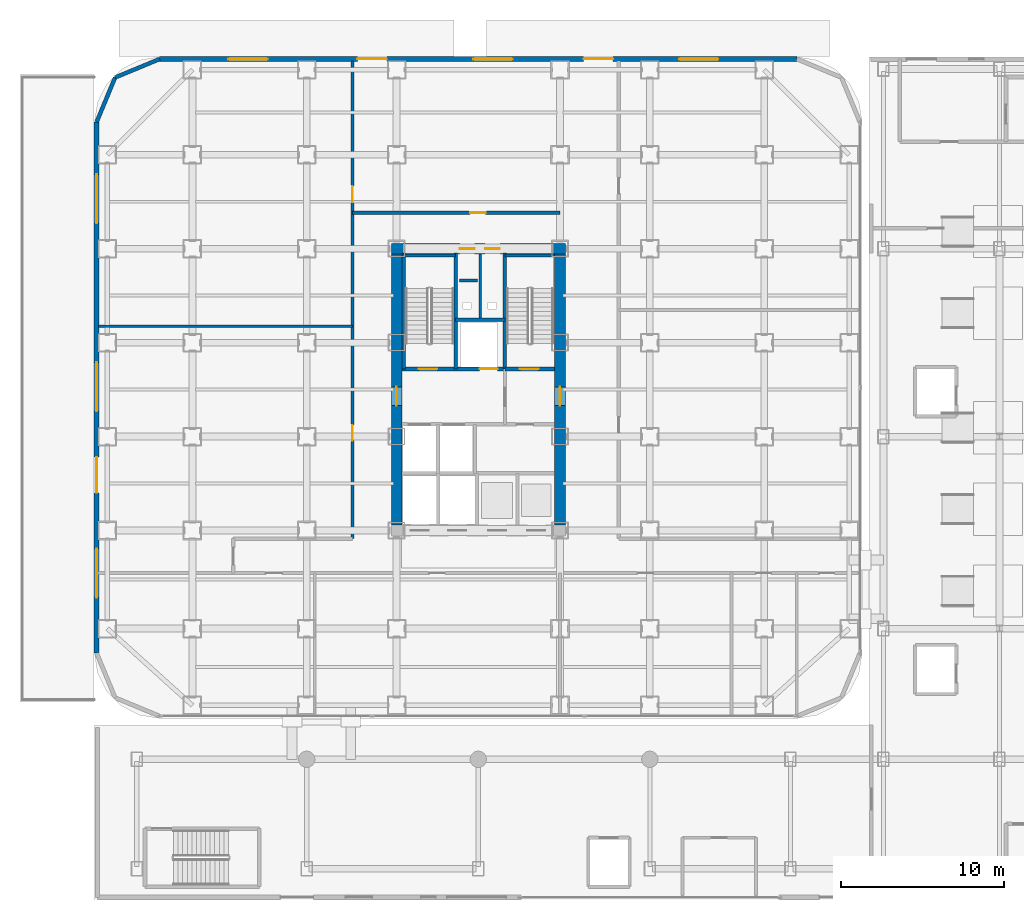
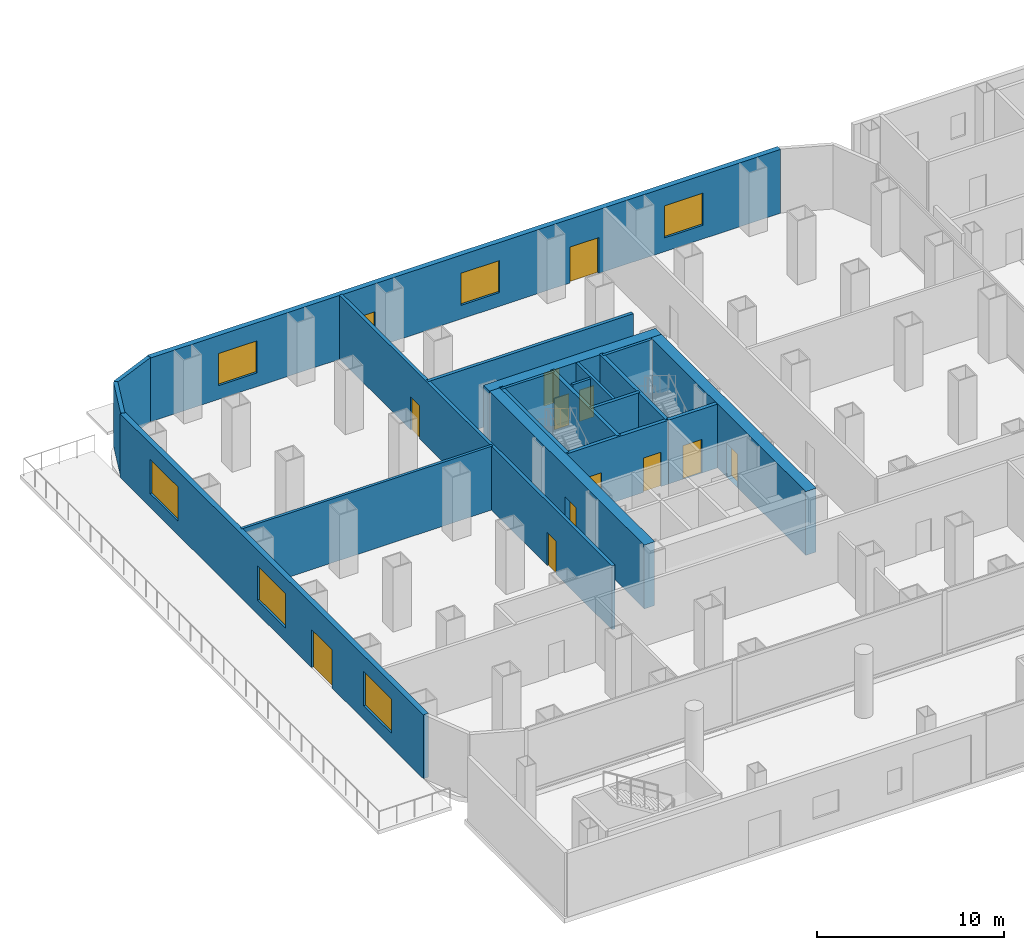
# One storey, part 22 of 31: 20 walls, 13 doors, 6 windows, 19 openings.
"""IFC4 building model written with IfcOpenShell, lengths in metres."""

from ifc_helpers import new_model, si_unit, direction, frame, frame_2d, origin, place, context, subcontext, project, spatial, rectangle, extrude, material, layer, layer_set, type_object, element, fill, save


model = new_model("IFC4")

# Units and contexts
model_context = context("Model", 3, precision=1e-05, world=origin(), true_north=direction((0.0, 1.0)))
body_context = subcontext(model_context, "Body", "Model", "MODEL_VIEW")
ifc_project = project(units=[si_unit("LENGTHUNIT", "METRE"), si_unit("AREAUNIT", "SQUARE_METRE"), si_unit("VOLUMEUNIT", "CUBIC_METRE"), si_unit("PLANEANGLEUNIT", "RADIAN"), si_unit("MASSUNIT", "GRAM", prefix="KILO")], contexts=[model_context])

# Site, building, storey
site_placement = place(None, origin())
site = spatial("IfcSite", under=ifc_project, at=site_placement, CompositionType="ELEMENT")
building_placement = place(site_placement, origin())
building = spatial("IfcBuilding", under=site, at=building_placement, Name="Kolveth Station Tower", CompositionType="ELEMENT")
storey_placement = place(building_placement, origin())
storey = spatial("IfcBuildingStorey", under=building, at=storey_placement, Name="L00", CompositionType="ELEMENT", Elevation=0.0)

# Wall, openings, doors
ifc_material_1 = material(Name="Concrete C60/75", Category="concrete")
ifc_layer_1 = layer(ifc_material_1, 0.64990234375)
ifc_layer_set_1 = layer_set([ifc_layer_1], Name="Concrete C60/75")
wall_type_1 = type_object("IfcWallType", Name="Wall_CW-650", PredefinedType="SHEAR", material=ifc_layer_set_1)
wall_1_placement = place(storey_placement, frame((18.175048828125, 28.75, 0.0), z_axis=(0.0, 0.0, 1.0), x_axis=(1.0, 0.0, 0.0)))
wall_1 = element("IfcWall", 1, at=wall_1_placement, inside=storey, type_object=wall_type_1, Name="L00 Core RC Shear Wall N", PredefinedType="SHEAR", context=body_context, shape_type="SweptSolid", body=[
    extrude(rectangle(XDim=10.64990234375, YDim=0.64990234375, at=frame_2d((5.324951171875, 0.0))), origin(), (0.0, 0.0, 1.0), 4.179931640625),
])
opening_1_placement = place(wall_1_placement, frame((4.205078125, 0.0, 0.0)))
opening_1 = element("IfcOpeningElement", 2, at=opening_1_placement, cuts=wall_1, Name="Opening RD1", PredefinedType="OPENING", context=body_context, shape_type="SweptSolid", body=[
    extrude(rectangle(XDim=0.89990234375, YDim=2.050048828125, at=frame_2d((0.449951171875, 1.02490234375))), frame((0.0, 0.3349609375, 0.0), z_axis=(0.0, -1.0, 0.0), x_axis=(1.0, 0.0, 0.0)), (0.0, 0.0, 1.0), 0.669921875),
])
opening_2_placement = place(wall_1_placement, frame((5.7451171875, 0.0, 0.0)))
opening_2 = element("IfcOpeningElement", 3, at=opening_2_placement, cuts=wall_1, Name="Opening RD1", PredefinedType="OPENING", context=body_context, shape_type="SweptSolid", body=[
    extrude(rectangle(XDim=0.89990234375, YDim=2.050048828125, at=frame_2d((0.449951171875, 1.02490234375))), frame((0.0, 0.3349609375, 0.0), z_axis=(0.0, -1.0, 0.0), x_axis=(1.0, 0.0, 0.0)), (0.0, 0.0, 1.0), 0.669921875),
])
ifc_material_2 = material(Name="Fire-rated Steel S355 riser access leaf", Category="steel")
door_type_1 = type_object("IfcDoorType", Name="Door_RD1", OperationType="NOTDEFINED", PredefinedType="DOOR", material=ifc_material_2)
door_1_placement = place(opening_1_placement, origin())
door_1 = element("IfcDoor", 4, at=door_1_placement, inside=storey, type_object=door_type_1, Name="L00 Electrical Riser Access Door", OperationType="SINGLE_SWING_RIGHT", OverallHeight=2.050048828125, OverallWidth=0.89990234375, PredefinedType="DOOR", context=body_context, shape_type="SweptSolid", body=[
    extrude(rectangle(XDim=0.89990234375, YDim=2.050048828125, at=frame_2d((0.449951171875, 1.02490234375))), frame((0.0, 0.02490234375, 0.0), z_axis=(0.0, -1.0, 0.0), x_axis=(1.0, 0.0, 0.0)), (0.0, 0.0, 1.0), 0.050048828125),
])
fill(opening_1, door_1)
door_2_placement = place(opening_2_placement, origin())
door_2 = element("IfcDoor", 5, at=door_2_placement, inside=storey, type_object=door_type_1, Name="L00 Smoke Duct Access Door", OperationType="SINGLE_SWING_LEFT", OverallHeight=2.050048828125, OverallWidth=0.89990234375, PredefinedType="DOOR", context=body_context, shape_type="SweptSolid", body=[
    extrude(rectangle(XDim=0.89990234375, YDim=2.050048828125, at=frame_2d((0.449951171875, 1.02490234375))), frame((0.0, 0.02490234375, 0.0), z_axis=(0.0, -1.0, 0.0), x_axis=(1.0, 0.0, 0.0)), (0.0, 0.0, 1.0), 0.050048828125),
])
fill(opening_2, door_2)

# Wall, opening, door
wall_2_placement = place(storey_placement, frame((18.5, 11.824951171875, 0.0), z_axis=(0.0, 0.0, 1.0), x_axis=(0.0, 1.0, 0.0)))
wall_2 = element("IfcWall", 6, at=wall_2_placement, inside=storey, type_object=wall_type_1, Name="L00 Core RC Shear Wall W", PredefinedType="SHEAR", context=body_context, shape_type="SweptSolid", body=[
    extrude(rectangle(XDim=16.60009765625, YDim=0.64990234375, at=frame_2d((8.300048828125, 0.0))), origin(), (0.0, 0.0, 1.0), 4.179931640625),
])
opening_3_placement = place(wall_2_placement, frame((7.324951171875, 0.0, 0.0)))
opening_3 = element("IfcOpeningElement", 7, at=opening_3_placement, cuts=wall_2, Name="Opening FD1", PredefinedType="OPENING", context=body_context, shape_type="SweptSolid", body=[
    extrude(rectangle(XDim=1.14990234375, YDim=2.199951171875, at=frame_2d((0.574951171875, 1.10009765625))), frame((0.0, 0.3349609375, 0.0), z_axis=(0.0, -1.0, 0.0), x_axis=(1.0, 0.0, 0.0)), (0.0, 0.0, 1.0), 0.669921875),
])
ifc_material_3 = material(Name="Fire-rated Steel S355 leaf and frame", Category="steel")
door_type_2 = type_object("IfcDoorType", Name="Door_FD1", OperationType="NOTDEFINED", PredefinedType="DOOR", material=ifc_material_3)
door_3_placement = place(opening_3_placement, frame((1.14990234375, 0.0, 0.0), z_axis=(0.0, 0.0, 1.0), x_axis=(-1.0, 0.0, 0.0)))
door_3 = element("IfcDoor", 8, at=door_3_placement, inside=storey, type_object=door_type_2, Name="L00 West Corridor to Firefighting Lobby Door", OperationType="SINGLE_SWING_RIGHT", OverallHeight=2.199951171875, OverallWidth=1.14990234375, PredefinedType="DOOR", context=body_context, shape_type="SweptSolid", body=[
    extrude(rectangle(XDim=1.14990234375, YDim=2.199951171875, at=frame_2d((0.574951171875, 1.10009765625))), frame((0.0, 0.02490234375, 0.0), z_axis=(0.0, -1.0, 0.0), x_axis=(1.0, 0.0, 0.0)), (0.0, 0.0, 1.0), 0.050048828125),
])
fill(opening_3, door_3)

wall_3_placement = place(storey_placement, frame((28.5, 11.824951171875, 0.0), z_axis=(0.0, 0.0, 1.0), x_axis=(0.0, 1.0, 0.0)))
wall_3 = element("IfcWall", 9, at=wall_3_placement, inside=storey, type_object=wall_type_1, Name="L00 Core RC Shear Wall E", PredefinedType="SHEAR", context=body_context, shape_type="SweptSolid", body=[
    extrude(rectangle(XDim=16.60009765625, YDim=0.64990234375, at=frame_2d((8.300048828125, 0.0))), origin(), (0.0, 0.0, 1.0), 4.179931640625),
])
opening_4_placement = place(wall_3_placement, frame((7.324951171875, 0.0, 0.0)))
opening_4 = element("IfcOpeningElement", 10, at=opening_4_placement, cuts=wall_3, Name="Opening FD1", PredefinedType="OPENING", context=body_context, shape_type="SweptSolid", body=[
    extrude(rectangle(XDim=1.14990234375, YDim=2.199951171875, at=frame_2d((0.574951171875, 1.10009765625))), frame((0.0, 0.3349609375, 0.0), z_axis=(0.0, -1.0, 0.0), x_axis=(1.0, 0.0, 0.0)), (0.0, 0.0, 1.0), 0.669921875),
])
door_4_placement = place(opening_4_placement, origin())
door_4 = element("IfcDoor", 11, at=door_4_placement, inside=storey, type_object=door_type_2, Name="L00 East Corridor to Stair Lobby Door", OperationType="SINGLE_SWING_LEFT", OverallHeight=2.199951171875, OverallWidth=1.14990234375, PredefinedType="DOOR", context=body_context, shape_type="SweptSolid", body=[
    extrude(rectangle(XDim=1.14990234375, YDim=2.199951171875, at=frame_2d((0.574951171875, 1.10009765625))), frame((0.0, 0.02490234375, 0.0), z_axis=(0.0, -1.0, 0.0), x_axis=(1.0, 0.0, 0.0)), (0.0, 0.0, 1.0), 0.050048828125),
])
fill(opening_4, door_4)

# Walls
ifc_material_4 = material(Name="Precast concrete C40/50", Category="concrete")
ifc_layer_2 = layer(ifc_material_4, 0.239990234375)
ifc_layer_set_2 = layer_set([ifc_layer_2], Name="Precast concrete C40/50")
wall_type_2 = type_object("IfcWallType", Name="Wall_EW-240", PredefinedType="SOLIDWALL", material=ifc_layer_set_2)
for number, where, z_axis, x_axis, name in (
    (12, (4.0, 40.360107421875, 0.0), (0.0, 0.0, 1.0), (-0.923876833688, -0.382689947836, 0.0), "L00 Podium Rounded Corner Wall 5"),
    (13, (1.2705078125, 39.2294921875, 0.0), (0.0, 0.0, 1.0), (-0.382689947836, -0.923876833688, 0.0), "L00 Podium Rounded Corner Wall 6"),
):
    element("IfcWall", number, at=place(storey_placement, frame(where, z_axis=z_axis, x_axis=x_axis)), inside=storey, type_object=wall_type_2, Name=name, PredefinedType="SOLIDWALL", context=body_context, shape_type="SweptSolid", body=[
        extrude(rectangle(XDim=2.954345703125, YDim=0.239990234375, at=frame_2d((1.47705078125, 0.0))), origin(), (0.0, 0.0, 1.0), 4.179931640625),
    ])

# Wall, openings, door, windows
ifc_layer_3 = layer(ifc_material_4, 0.320068359375)
ifc_layer_set_3 = layer_set([ifc_layer_3], Name="Precast concrete C40/50")
wall_type_3 = type_object("IfcWallType", Name="Wall_EW-320", PredefinedType="SOLIDWALL", material=ifc_layer_set_3)
wall_4_placement = place(storey_placement, frame((0.139892578125, 4.0, 0.0), z_axis=(0.0, 0.0, 1.0), x_axis=(0.0, 1.0, 0.0)))
wall_4 = element("IfcWall", 14, at=wall_4_placement, inside=storey, type_object=wall_type_3, Name="L00 Tower Podium West Exterior Wall", PredefinedType="SOLIDWALL", context=body_context, shape_type="SweptSolid", body=[
    extrude(rectangle(XDim=32.5, YDim=0.320068359375, at=frame_2d((16.25, 0.0))), origin(), (0.0, 0.0, 1.0), 4.179931640625),
])
opening_5_placement = place(wall_4_placement, frame((9.800048828125, 0.0, 0.0)))
opening_5 = element("IfcOpeningElement", 15, at=opening_5_placement, cuts=wall_4, Name="Opening ED2", PredefinedType="OPENING", context=body_context, shape_type="SweptSolid", body=[
    extrude(rectangle(XDim=2.199951171875, YDim=2.5, at=frame_2d((1.10009765625, 1.25))), frame((0.0, 0.169921875, 0.0), z_axis=(0.0, -1.0, 0.0), x_axis=(1.0, 0.0, 0.0)), (0.0, 0.0, 1.0), 0.340087890625),
])
opening_6_placement = place(wall_4_placement, frame((3.39990234375, 0.0, 0.89990234375)))
opening_6 = element("IfcOpeningElement", 16, at=opening_6_placement, cuts=wall_4, Name="Opening W5", PredefinedType="OPENING", context=body_context, shape_type="SweptSolid", body=[
    extrude(rectangle(XDim=3.0, YDim=2.25, at=frame_2d((1.5, 1.125))), frame((0.0, 0.169921875, 0.0), z_axis=(0.0, -1.0, 0.0), x_axis=(1.0, 0.0, 0.0)), (0.0, 0.0, 1.0), 0.340087890625),
])
opening_7_placement = place(wall_4_placement, frame((14.800048828125, 0.0, 0.89990234375)))
opening_7 = element("IfcOpeningElement", 17, at=opening_7_placement, cuts=wall_4, Name="Opening W5", PredefinedType="OPENING", context=body_context, shape_type="SweptSolid", body=[
    extrude(rectangle(XDim=3.0, YDim=2.25, at=frame_2d((1.5, 1.125))), frame((0.0, 0.169921875, 0.0), z_axis=(0.0, -1.0, 0.0), x_axis=(1.0, 0.0, 0.0)), (0.0, 0.0, 1.0), 0.340087890625),
])
opening_8_placement = place(wall_4_placement, frame((26.300048828125, 0.0, 0.89990234375)))
opening_8 = element("IfcOpeningElement", 18, at=opening_8_placement, cuts=wall_4, Name="Opening W5", PredefinedType="OPENING", context=body_context, shape_type="SweptSolid", body=[
    extrude(rectangle(XDim=3.0, YDim=2.25, at=frame_2d((1.5, 1.125))), frame((0.0, 0.169921875, 0.0), z_axis=(0.0, -1.0, 0.0), x_axis=(1.0, 0.0, 0.0)), (0.0, 0.0, 1.0), 0.340087890625),
])
ifc_material_5 = material(Name="Black anodized aluminium 6063-T6 and laminated glass", Category="aluminium")
door_type_3 = type_object("IfcDoorType", Name="Door_ED2", OperationType="NOTDEFINED", PredefinedType="DOOR", material=ifc_material_5)
door_5_placement = place(opening_5_placement, origin())
door_5 = element("IfcDoor", 19, at=door_5_placement, inside=storey, type_object=door_type_3, Name="L00 Tower West Cycle and Retail Entrance", OperationType="DOUBLE_DOOR_SINGLE_SWING", OverallHeight=2.5, OverallWidth=2.199951171875, PredefinedType="DOOR", context=body_context, shape_type="SweptSolid", body=[
    extrude(rectangle(XDim=2.199951171875, YDim=2.5, at=frame_2d((1.10009765625, 1.25))), frame((0.0, 0.02490234375, 0.0), z_axis=(0.0, -1.0, 0.0), x_axis=(1.0, 0.0, 0.0)), (0.0, 0.0, 1.0), 0.050048828125),
])
fill(opening_5, door_5)
ifc_material_6 = material(Name="Black anodized aluminium 6063-T6 and clear station glass", Category="aluminium")
window_type_1 = type_object("IfcWindowType", Name="Win_W5", PartitioningType="SINGLE_PANEL", PredefinedType="WINDOW", material=ifc_material_6)
window_1_placement = place(opening_6_placement, origin())
window_1 = element("IfcWindow", 20, at=window_1_placement, inside=storey, type_object=window_type_1, Name="L00 West Podium Window 1", OverallHeight=2.25, OverallWidth=3.0, PartitioningType="SINGLE_PANEL", PredefinedType="WINDOW", context=body_context, shape_type="SweptSolid", body=[
    extrude(rectangle(XDim=3.0, YDim=2.25, at=frame_2d((1.5, 1.125))), frame((0.0, 0.030029296875, 0.0), z_axis=(0.0, -1.0, 0.0), x_axis=(1.0, 0.0, 0.0)), (0.0, 0.0, 1.0), 0.06005859375),
])
fill(opening_6, window_1)
window_2_placement = place(opening_7_placement, origin())
window_2 = element("IfcWindow", 21, at=window_2_placement, inside=storey, type_object=window_type_1, Name="L00 West Podium Window 2", OverallHeight=2.25, OverallWidth=3.0, PartitioningType="SINGLE_PANEL", PredefinedType="WINDOW", context=body_context, shape_type="SweptSolid", body=[
    extrude(rectangle(XDim=3.0, YDim=2.25, at=frame_2d((1.5, 1.125))), frame((0.0, 0.030029296875, 0.0), z_axis=(0.0, -1.0, 0.0), x_axis=(1.0, 0.0, 0.0)), (0.0, 0.0, 1.0), 0.06005859375),
])
fill(opening_7, window_2)
window_3_placement = place(opening_8_placement, origin())
window_3 = element("IfcWindow", 22, at=window_3_placement, inside=storey, type_object=window_type_1, Name="L00 West Podium Window 3", OverallHeight=2.25, OverallWidth=3.0, PartitioningType="SINGLE_PANEL", PredefinedType="WINDOW", context=body_context, shape_type="SweptSolid", body=[
    extrude(rectangle(XDim=3.0, YDim=2.25, at=frame_2d((1.5, 1.125))), frame((0.0, 0.030029296875, 0.0), z_axis=(0.0, -1.0, 0.0), x_axis=(1.0, 0.0, 0.0)), (0.0, 0.0, 1.0), 0.06005859375),
])
fill(opening_8, window_3)

# Wall, openings, doors, windows
wall_5_placement = place(storey_placement, frame((4.0, 40.360107421875, 0.0), z_axis=(0.0, 0.0, 1.0), x_axis=(1.0, 0.0, 0.0)))
wall_5 = element("IfcWall", 23, at=wall_5_placement, inside=storey, type_object=wall_type_3, Name="L00 Tower Podium North Exterior Wall", PredefinedType="SOLIDWALL", context=body_context, shape_type="SweptSolid", body=[
    extrude(rectangle(XDim=39.0, YDim=0.320068359375, at=frame_2d((19.5, 0.0))), origin(), (0.0, 0.0, 1.0), 4.179931640625),
])
opening_9_placement = place(wall_5_placement, frame((12.10009765625, 0.0, 0.0)))
opening_9 = element("IfcOpeningElement", 24, at=opening_9_placement, cuts=wall_5, Name="Opening ED3", PredefinedType="OPENING", context=body_context, shape_type="SweptSolid", body=[
    extrude(rectangle(XDim=1.800048828125, YDim=2.35009765625, at=frame_2d((0.89990234375, 1.175048828125))), frame((0.0, 0.169921875, 0.0), z_axis=(0.0, -1.0, 0.0), x_axis=(1.0, 0.0, 0.0)), (0.0, 0.0, 1.0), 0.340087890625),
])
opening_10_placement = place(wall_5_placement, frame((25.949951171875, 0.0, 0.0)))
opening_10 = element("IfcOpeningElement", 25, at=opening_10_placement, cuts=wall_5, Name="Opening ED3", PredefinedType="OPENING", context=body_context, shape_type="SweptSolid", body=[
    extrude(rectangle(XDim=1.800048828125, YDim=2.35009765625, at=frame_2d((0.89990234375, 1.175048828125))), frame((0.0, 0.169921875, 0.0), z_axis=(0.0, -1.0, 0.0), x_axis=(1.0, 0.0, 0.0)), (0.0, 0.0, 1.0), 0.340087890625),
])
opening_11_placement = place(wall_5_placement, frame((4.199951171875, 0.0, 0.89990234375)))
opening_11 = element("IfcOpeningElement", 26, at=opening_11_placement, cuts=wall_5, Name="Opening W1", PredefinedType="OPENING", context=body_context, shape_type="SweptSolid", body=[
    extrude(rectangle(XDim=2.39990234375, YDim=2.10009765625, at=frame_2d((1.199951171875, 1.050048828125))), frame((0.0, 0.169921875, 0.0), z_axis=(0.0, -1.0, 0.0), x_axis=(1.0, 0.0, 0.0)), (0.0, 0.0, 1.0), 0.340087890625),
])
opening_12_placement = place(wall_5_placement, frame((19.199951171875, 0.0, 0.89990234375)))
opening_12 = element("IfcOpeningElement", 27, at=opening_12_placement, cuts=wall_5, Name="Opening W1", PredefinedType="OPENING", context=body_context, shape_type="SweptSolid", body=[
    extrude(rectangle(XDim=2.39990234375, YDim=2.10009765625, at=frame_2d((1.199951171875, 1.050048828125))), frame((0.0, 0.169921875, 0.0), z_axis=(0.0, -1.0, 0.0), x_axis=(1.0, 0.0, 0.0)), (0.0, 0.0, 1.0), 0.340087890625),
])
opening_13_placement = place(wall_5_placement, frame((31.800048828125, 0.0, 0.89990234375)))
opening_13 = element("IfcOpeningElement", 28, at=opening_13_placement, cuts=wall_5, Name="Opening W1", PredefinedType="OPENING", context=body_context, shape_type="SweptSolid", body=[
    extrude(rectangle(XDim=2.39990234375, YDim=2.10009765625, at=frame_2d((1.199951171875, 1.050048828125))), frame((0.0, 0.169921875, 0.0), z_axis=(0.0, -1.0, 0.0), x_axis=(1.0, 0.0, 0.0)), (0.0, 0.0, 1.0), 0.340087890625),
])
door_type_4 = type_object("IfcDoorType", Name="Door_ED3", OperationType="NOTDEFINED", PredefinedType="DOOR", material=ifc_material_5)
door_6_placement = place(opening_9_placement, origin())
door_6 = element("IfcDoor", 29, at=door_6_placement, inside=storey, type_object=door_type_4, Name="L00 Tower West Passage Final Exit Door", OperationType="DOUBLE_DOOR_SINGLE_SWING", OverallHeight=2.35009765625, OverallWidth=1.800048828125, PredefinedType="DOOR", context=body_context, shape_type="SweptSolid", body=[
    extrude(rectangle(XDim=1.800048828125, YDim=2.35009765625, at=frame_2d((0.89990234375, 1.175048828125))), frame((0.0, 0.02490234375, 0.0), z_axis=(0.0, -1.0, 0.0), x_axis=(1.0, 0.0, 0.0)), (0.0, 0.0, 1.0), 0.050048828125),
])
fill(opening_9, door_6)
door_7_placement = place(opening_10_placement, origin())
door_7 = element("IfcDoor", 30, at=door_7_placement, inside=storey, type_object=door_type_4, Name="L00 Tower North Passage Final Exit Door", OperationType="DOUBLE_DOOR_SINGLE_SWING", OverallHeight=2.35009765625, OverallWidth=1.800048828125, PredefinedType="DOOR", context=body_context, shape_type="SweptSolid", body=[
    extrude(rectangle(XDim=1.800048828125, YDim=2.35009765625, at=frame_2d((0.89990234375, 1.175048828125))), frame((0.0, 0.02490234375, 0.0), z_axis=(0.0, -1.0, 0.0), x_axis=(1.0, 0.0, 0.0)), (0.0, 0.0, 1.0), 0.050048828125),
])
fill(opening_10, door_7)
ifc_material_7 = material(Name="Black anodized aluminium 6063-T6 and low-E dark glass", Category="aluminium")
window_type_2 = type_object("IfcWindowType", Name="Win_W1", PartitioningType="SINGLE_PANEL", PredefinedType="WINDOW", material=ifc_material_7)
window_4_placement = place(opening_11_placement, origin())
window_4 = element("IfcWindow", 31, at=window_4_placement, inside=storey, type_object=window_type_2, Name="L00 North Podium Window 1", OverallHeight=2.10009765625, OverallWidth=2.39990234375, PartitioningType="SINGLE_PANEL", PredefinedType="WINDOW", context=body_context, shape_type="SweptSolid", body=[
    extrude(rectangle(XDim=2.39990234375, YDim=2.10009765625, at=frame_2d((1.199951171875, 1.050048828125))), frame((0.0, 0.030029296875, 0.0), z_axis=(0.0, -1.0, 0.0), x_axis=(1.0, 0.0, 0.0)), (0.0, 0.0, 1.0), 0.06005859375),
])
fill(opening_11, window_4)
window_5_placement = place(opening_12_placement, origin())
window_5 = element("IfcWindow", 32, at=window_5_placement, inside=storey, type_object=window_type_2, Name="L00 North Podium Window 2", OverallHeight=2.10009765625, OverallWidth=2.39990234375, PartitioningType="SINGLE_PANEL", PredefinedType="WINDOW", context=body_context, shape_type="SweptSolid", body=[
    extrude(rectangle(XDim=2.39990234375, YDim=2.10009765625, at=frame_2d((1.199951171875, 1.050048828125))), frame((0.0, 0.030029296875, 0.0), z_axis=(0.0, -1.0, 0.0), x_axis=(1.0, 0.0, 0.0)), (0.0, 0.0, 1.0), 0.06005859375),
])
fill(opening_12, window_5)
window_6_placement = place(opening_13_placement, origin())
window_6 = element("IfcWindow", 33, at=window_6_placement, inside=storey, type_object=window_type_2, Name="L00 North Podium Window 3", OverallHeight=2.10009765625, OverallWidth=2.39990234375, PartitioningType="SINGLE_PANEL", PredefinedType="WINDOW", context=body_context, shape_type="SweptSolid", body=[
    extrude(rectangle(XDim=2.39990234375, YDim=2.10009765625, at=frame_2d((1.199951171875, 1.050048828125))), frame((0.0, 0.030029296875, 0.0), z_axis=(0.0, -1.0, 0.0), x_axis=(1.0, 0.0, 0.0)), (0.0, 0.0, 1.0), 0.06005859375),
])
fill(opening_13, window_6)

# Walls
ifc_material_8 = material(Name="Acoustic double-stud gypsum partition")
ifc_layer_4 = layer(ifc_material_8, 0.1650390625)
ifc_layer_set_4 = layer_set([ifc_layer_4], Name="Acoustic double-stud gypsum partition")
wall_type_4 = type_object("IfcWallType", Name="Wall_IW-165", PredefinedType="PARTITIONING", material=ifc_layer_set_4)
wall_6_placement = place(storey_placement, frame((18.8349609375, 28.3349609375, 0.0), z_axis=(0.0, 0.0, 1.0), x_axis=(1.0, 0.0, 0.0)))
element("IfcWall", 34, at=wall_6_placement, inside=storey, type_object=wall_type_4, Name="L00 Stair Shaft Wall WL-L00-ST1-N", PredefinedType="PARTITIONING", context=body_context, shape_type="SweptSolid", body=[
    extrude(rectangle(XDim=3.275146484375, YDim=0.1650390625, at=frame_2d((1.6376953125, 0.0))), origin(), (0.0, 0.0, 1.0), 4.179931640625),
])
wall_7_placement = place(storey_placement, frame((25.1298828125, 28.3349609375, 0.0), z_axis=(0.0, 0.0, 1.0), x_axis=(1.0, 0.0, 0.0)))
element("IfcWall", 35, at=wall_7_placement, inside=storey, type_object=wall_type_4, Name="L00 Stair Shaft Wall WL-L00-ST2-N", PredefinedType="PARTITIONING", context=body_context, shape_type="SweptSolid", body=[
    extrude(rectangle(XDim=3.03515625, YDim=0.1650390625, at=frame_2d((1.517578125, 0.0))), origin(), (0.0, 0.0, 1.0), 4.179931640625),
])
wall_8_placement = place(storey_placement, frame((23.6201171875, 24.39990234375, 0.0), z_axis=(0.0, 0.0, 1.0), x_axis=(0.0, 1.0, 0.0)))
element("IfcWall", 36, at=wall_8_placement, inside=storey, type_object=wall_type_4, Name="L00 Partition Wall WL-L00-RSR-M", PredefinedType="PARTITIONING", context=body_context, shape_type="SweptSolid", body=[
    extrude(rectangle(XDim=4.01513671875, YDim=0.1650390625, at=frame_2d((2.007568359375, 0.0))), origin(), (0.0, 0.0, 1.0), 4.179931640625),
])
wall_9_placement = place(storey_placement, frame((0.25, 24.0, 0.0), z_axis=(0.0, 0.0, 1.0), x_axis=(1.0, 0.0, 0.0)))
element("IfcWall", 37, at=wall_9_placement, inside=storey, type_object=wall_type_4, Name="L00 Partition Wall WL-L00-TL0W-P1", PredefinedType="PARTITIONING", context=body_context, shape_type="SweptSolid", body=[
    extrude(rectangle(XDim=15.550048828125, YDim=0.1650390625, at=frame_2d((7.77490234375, 0.0))), origin(), (0.0, 0.0, 1.0), 4.179931640625),
])
wall_10_placement = place(storey_placement, frame((22.35009765625, 26.800048828125, 0.0), z_axis=(0.0, 0.0, 1.0), x_axis=(1.0, 0.0, 0.0)))
element("IfcWall", 38, at=wall_10_placement, inside=storey, type_object=wall_type_4, Name="L00 Acoustic Riser Dry-Lining Wall", PredefinedType="PARTITIONING", context=body_context, shape_type="SweptSolid", body=[
    extrude(rectangle(XDim=1.099853515625, YDim=0.1650390625, at=frame_2d((0.5498046875, 0.0))), origin(), (0.0, 0.0, 1.0), 4.179931640625),
])
ifc_material_9 = material(Name="Acoustic fire-rated gypsum blockwork", Category="masonry")
ifc_layer_5 = layer(ifc_material_9, 0.199951171875)
ifc_layer_set_5 = layer_set([ifc_layer_5], Name="Acoustic fire-rated gypsum blockwork")
wall_type_5 = type_object("IfcWallType", Name="Wall_IW-200", PredefinedType="PARTITIONING", material=ifc_layer_set_5)
wall_11_placement = place(storey_placement, frame((22.110107421875, 24.39990234375, 0.0), z_axis=(0.0, 0.0, 1.0), x_axis=(1.0, 0.0, 0.0)))
element("IfcWall", 39, at=wall_11_placement, inside=storey, type_object=wall_type_5, Name="L00 Partition Wall WL-L00-RSR-S", PredefinedType="PARTITIONING", context=body_context, shape_type="SweptSolid", body=[
    extrude(rectangle(XDim=3.019775390625, YDim=0.199951171875, at=frame_2d((1.509765625, 0.0))), origin(), (0.0, 0.0, 1.0), 4.179931640625),
])

# Wall, openings, doors
wall_12_placement = place(storey_placement, frame((15.800048828125, 11.0, 0.0), z_axis=(0.0, 0.0, 1.0), x_axis=(0.0, 1.0, 0.0)))
wall_12 = element("IfcWall", 40, at=wall_12_placement, inside=storey, type_object=wall_type_5, Name="L00 Partition Wall WL-L00-BW", PredefinedType="PARTITIONING", context=body_context, shape_type="SweptSolid", body=[
    extrude(rectangle(XDim=29.25, YDim=0.199951171875, at=frame_2d((14.625, 0.0))), origin(), (0.0, 0.0, 1.0), 4.179931640625),
])
opening_14_placement = place(wall_12_placement, frame((6.0, 0.0, 0.0)))
opening_14 = element("IfcOpeningElement", 41, at=opening_14_placement, cuts=wall_12, Name="Opening ID1", PredefinedType="OPENING", context=body_context, shape_type="SweptSolid", body=[
    extrude(rectangle(XDim=0.949951171875, YDim=2.14990234375, at=frame_2d((0.47509765625, 1.074951171875))), frame((0.0, 0.10986328125, 0.0), z_axis=(0.0, -1.0, 0.0), x_axis=(1.0, 0.0, 0.0)), (0.0, 0.0, 1.0), 0.219970703125),
])
opening_15_placement = place(wall_12_placement, frame((20.625, 0.0, 0.0)))
opening_15 = element("IfcOpeningElement", 42, at=opening_15_placement, cuts=wall_12, Name="Opening ID1", PredefinedType="OPENING", context=body_context, shape_type="SweptSolid", body=[
    extrude(rectangle(XDim=0.949951171875, YDim=2.14990234375, at=frame_2d((0.47509765625, 1.074951171875))), frame((0.0, 0.10986328125, 0.0), z_axis=(0.0, -1.0, 0.0), x_axis=(1.0, 0.0, 0.0)), (0.0, 0.0, 1.0), 0.219970703125),
])
ifc_material_10 = material(Name="Acoustic hardwood leaf and aluminium frame", Category="wood")
door_type_5 = type_object("IfcDoorType", Name="Door_ID1", OperationType="NOTDEFINED", PredefinedType="DOOR", material=ifc_material_10)
door_8_placement = place(opening_14_placement, frame((0.949951171875, 0.0, 0.0), z_axis=(0.0, 0.0, 1.0), x_axis=(-1.0, 0.0, 0.0)))
door_8 = element("IfcDoor", 43, at=door_8_placement, inside=storey, type_object=door_type_5, Name="L00 Bicycle Storage Room Door", OperationType="SINGLE_SWING_LEFT", OverallHeight=2.14990234375, OverallWidth=0.949951171875, PredefinedType="DOOR", context=body_context, shape_type="SweptSolid", body=[
    extrude(rectangle(XDim=0.949951171875, YDim=2.14990234375, at=frame_2d((0.47509765625, 1.074951171875))), frame((0.0, 0.02490234375, 0.0), z_axis=(0.0, -1.0, 0.0), x_axis=(1.0, 0.0, 0.0)), (0.0, 0.0, 1.0), 0.050048828125),
])
fill(opening_14, door_8)
door_9_placement = place(opening_15_placement, frame((0.949951171875, 0.0, 0.0), z_axis=(0.0, 0.0, 1.0), x_axis=(-1.0, 0.0, 0.0)))
door_9 = element("IfcDoor", 44, at=door_9_placement, inside=storey, type_object=door_type_5, Name="L00 Ground Cafe and Bakery Door", OperationType="SINGLE_SWING_RIGHT", OverallHeight=2.14990234375, OverallWidth=0.949951171875, PredefinedType="DOOR", context=body_context, shape_type="SweptSolid", body=[
    extrude(rectangle(XDim=0.949951171875, YDim=2.14990234375, at=frame_2d((0.47509765625, 1.074951171875))), frame((0.0, 0.02490234375, 0.0), z_axis=(0.0, -1.0, 0.0), x_axis=(1.0, 0.0, 0.0)), (0.0, 0.0, 1.0), 0.050048828125),
])
fill(opening_15, door_9)

# Wall, opening, door
wall_13_placement = place(storey_placement, frame((15.800048828125, 30.949951171875, 0.0), z_axis=(0.0, 0.0, 1.0), x_axis=(1.0, 0.0, 0.0)))
wall_13 = element("IfcWall", 45, at=wall_13_placement, inside=storey, type_object=wall_type_5, Name="L00 Partition Wall WL-L00-BN", PredefinedType="PARTITIONING", context=body_context, shape_type="SweptSolid", body=[
    extrude(rectangle(XDim=12.699951171875, YDim=0.199951171875, at=frame_2d((6.35009765625, 0.0))), origin(), (0.0, 0.0, 1.0), 4.179931640625),
])
opening_16_placement = place(wall_13_placement, frame((7.199951171875, 0.0, 0.0)))
opening_16 = element("IfcOpeningElement", 46, at=opening_16_placement, cuts=wall_13, Name="Opening ID1", PredefinedType="OPENING", context=body_context, shape_type="SweptSolid", body=[
    extrude(rectangle(XDim=0.949951171875, YDim=2.14990234375, at=frame_2d((0.47509765625, 1.074951171875))), frame((0.0, 0.10986328125, 0.0), z_axis=(0.0, -1.0, 0.0), x_axis=(1.0, 0.0, 0.0)), (0.0, 0.0, 1.0), 0.219970703125),
])
door_10_placement = place(opening_16_placement, origin())
door_10 = element("IfcDoor", 47, at=door_10_placement, inside=storey, type_object=door_type_5, Name="L00 Security Office Door", OperationType="SINGLE_SWING_RIGHT", OverallHeight=2.14990234375, OverallWidth=0.949951171875, PredefinedType="DOOR", context=body_context, shape_type="SweptSolid", body=[
    extrude(rectangle(XDim=0.949951171875, YDim=2.14990234375, at=frame_2d((0.47509765625, 1.074951171875))), frame((0.0, 0.02490234375, 0.0), z_axis=(0.0, -1.0, 0.0), x_axis=(1.0, 0.0, 0.0)), (0.0, 0.0, 1.0), 0.050048828125),
])
fill(opening_16, door_10)

# Walls
ifc_material_11 = material(Name="Concrete C40/50", Category="concrete")
ifc_layer_6 = layer(ifc_material_11, 0.219970703125)
ifc_layer_set_6 = layer_set([ifc_layer_6], Name="Concrete C40/50")
wall_type_6 = type_object("IfcWallType", Name="Wall_IW-220", PredefinedType="SOLIDWALL", material=ifc_layer_set_6)
for number, where, z_axis, x_axis, name in (
    (48, (18.929931640625, 21.389892578125, 0.0), (0.0, 0.0, 1.0), (0.0, 1.0, 0.0), "L00 Stair Shaft Wall WL-L00-ST1-W"),
    (49, (22.110107421875, 21.389892578125, 0.0), (0.0, 0.0, 1.0), (0.0, 1.0, 0.0), "L00 Stair Shaft Wall WL-L00-ST1-E"),
    (50, (25.1298828125, 21.389892578125, 0.0), (0.0, 0.0, 1.0), (0.0, 1.0, 0.0), "L00 Stair Shaft Wall WL-L00-ST2-W"),
):
    element("IfcWall", number, at=place(storey_placement, frame(where, z_axis=z_axis, x_axis=x_axis)), inside=storey, type_object=wall_type_6, Name=name, PredefinedType="SOLIDWALL", context=body_context, shape_type="SweptSolid", body=[
        extrude(rectangle(XDim=7.110107421875, YDim=0.219970703125, at=frame_2d((3.55517578125, 0.0))), origin(), (0.0, 0.0, 1.0), 4.179931640625),
    ])

# Wall, openings, doors
wall_14_placement = place(storey_placement, frame((18.8349609375, 21.389892578125, 0.0), z_axis=(0.0, 0.0, 1.0), x_axis=(1.0, 0.0, 0.0)))
wall_14 = element("IfcWall", 51, at=wall_14_placement, inside=storey, type_object=wall_type_6, Name="L00 Stair Shaft Wall WL-L00-ST1-S", PredefinedType="SOLIDWALL", context=body_context, shape_type="SweptSolid", body=[
    extrude(rectangle(XDim=6.294921875, YDim=0.219970703125, at=frame_2d((3.1474609375, 0.0))), origin(), (0.0, 0.0, 1.0), 4.179931640625),
])
opening_17_placement = place(wall_14_placement, frame((1.014892578125, 0.0, 0.0)))
opening_17 = element("IfcOpeningElement", 52, at=opening_17_placement, cuts=wall_14, Name="Opening FD1", PredefinedType="OPENING", context=body_context, shape_type="SweptSolid", body=[
    extrude(rectangle(XDim=1.14990234375, YDim=2.199951171875, at=frame_2d((0.574951171875, 1.10009765625))), frame((0.0, 0.119873046875, 0.0), z_axis=(0.0, -1.0, 0.0), x_axis=(1.0, 0.0, 0.0)), (0.0, 0.0, 1.0), 0.239990234375),
])
opening_18_placement = place(wall_14_placement, frame((4.7451171875, 0.0, 0.0)))
opening_18 = element("IfcOpeningElement", 53, at=opening_18_placement, cuts=wall_14, Name="Opening LD1", PredefinedType="OPENING", context=body_context, shape_type="SweptSolid", body=[
    extrude(rectangle(XDim=1.10009765625, YDim=2.25, at=frame_2d((0.550048828125, 1.125))), frame((0.0, 0.119873046875, 0.0), z_axis=(0.0, -1.0, 0.0), x_axis=(1.0, 0.0, 0.0)), (0.0, 0.0, 1.0), 0.239990234375),
])
door_11_placement = place(opening_17_placement, frame((1.14990234375, 0.0, 0.0), z_axis=(0.0, 0.0, 1.0), x_axis=(-1.0, 0.0, 0.0)))
door_11 = element("IfcDoor", 54, at=door_11_placement, inside=storey, type_object=door_type_2, Name="L00 Stair ST1 Fire Door", OperationType="SINGLE_SWING_RIGHT", OverallHeight=2.199951171875, OverallWidth=1.14990234375, PredefinedType="DOOR", context=body_context, shape_type="SweptSolid", body=[
    extrude(rectangle(XDim=1.14990234375, YDim=2.199951171875, at=frame_2d((0.574951171875, 1.10009765625))), frame((0.0, 0.02490234375, 0.0), z_axis=(0.0, -1.0, 0.0), x_axis=(1.0, 0.0, 0.0)), (0.0, 0.0, 1.0), 0.050048828125),
])
fill(opening_17, door_11)
ifc_material_12 = material(Name="Brushed stainless steel sliding landing doors", Category="steel")
door_type_6 = type_object("IfcDoorType", Name="Door_LD1", OperationType="NOTDEFINED", PredefinedType="DOOR", material=ifc_material_12)
door_12_placement = place(opening_18_placement, frame((1.10009765625, 0.0, 0.0), z_axis=(0.0, 0.0, 1.0), x_axis=(-1.0, 0.0, 0.0)))
door_12 = element("IfcDoor", 55, at=door_12_placement, inside=storey, type_object=door_type_6, Name="L00 Service Lift SV1 Landing Door", OperationType="DOUBLE_DOOR_SLIDING", OverallHeight=2.25, OverallWidth=1.10009765625, PredefinedType="DOOR", context=body_context, shape_type="SweptSolid", body=[
    extrude(rectangle(XDim=1.10009765625, YDim=2.25, at=frame_2d((0.550048828125, 1.125))), frame((0.0, 0.02490234375, 0.0), z_axis=(0.0, -1.0, 0.0), x_axis=(1.0, 0.0, 0.0)), (0.0, 0.0, 1.0), 0.050048828125),
])
fill(opening_18, door_12)

# Wall, opening, door
wall_15_placement = place(storey_placement, frame((25.1298828125, 21.389892578125, 0.0), z_axis=(0.0, 0.0, 1.0), x_axis=(1.0, 0.0, 0.0)))
wall_15 = element("IfcWall", 56, at=wall_15_placement, inside=storey, type_object=wall_type_6, Name="L00 Stair Shaft Wall WL-L00-ST2-S", PredefinedType="SOLIDWALL", context=body_context, shape_type="SweptSolid", body=[
    extrude(rectangle(XDim=3.03515625, YDim=0.219970703125, at=frame_2d((1.517578125, 0.0))), origin(), (0.0, 0.0, 1.0), 4.179931640625),
])
opening_19_placement = place(wall_15_placement, frame((0.919921875, 0.0, 0.0)))
opening_19 = element("IfcOpeningElement", 57, at=opening_19_placement, cuts=wall_15, Name="Opening FD1", PredefinedType="OPENING", context=body_context, shape_type="SweptSolid", body=[
    extrude(rectangle(XDim=1.14990234375, YDim=2.199951171875, at=frame_2d((0.574951171875, 1.10009765625))), frame((0.0, 0.119873046875, 0.0), z_axis=(0.0, -1.0, 0.0), x_axis=(1.0, 0.0, 0.0)), (0.0, 0.0, 1.0), 0.239990234375),
])
door_13_placement = place(opening_19_placement, frame((1.14990234375, 0.0, 0.0), z_axis=(0.0, 0.0, 1.0), x_axis=(-1.0, 0.0, 0.0)))
door_13 = element("IfcDoor", 58, at=door_13_placement, inside=storey, type_object=door_type_2, Name="L00 Stair ST2 Fire Door", OperationType="SINGLE_SWING_LEFT", OverallHeight=2.199951171875, OverallWidth=1.14990234375, PredefinedType="DOOR", context=body_context, shape_type="SweptSolid", body=[
    extrude(rectangle(XDim=1.14990234375, YDim=2.199951171875, at=frame_2d((0.574951171875, 1.10009765625))), frame((0.0, 0.02490234375, 0.0), z_axis=(0.0, -1.0, 0.0), x_axis=(1.0, 0.0, 0.0)), (0.0, 0.0, 1.0), 0.050048828125),
])
fill(opening_19, door_13)

save(model, "model.ifc")
